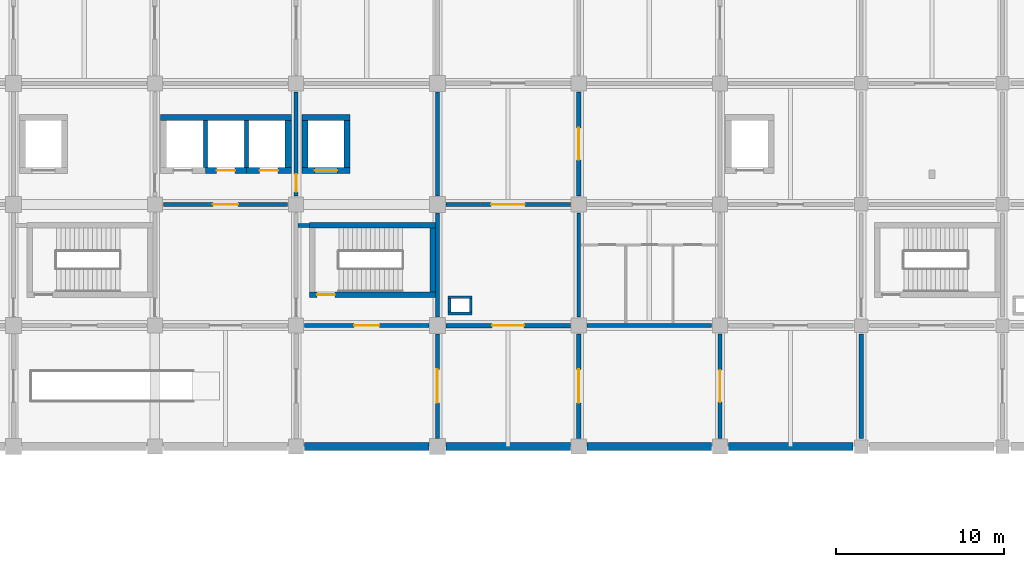
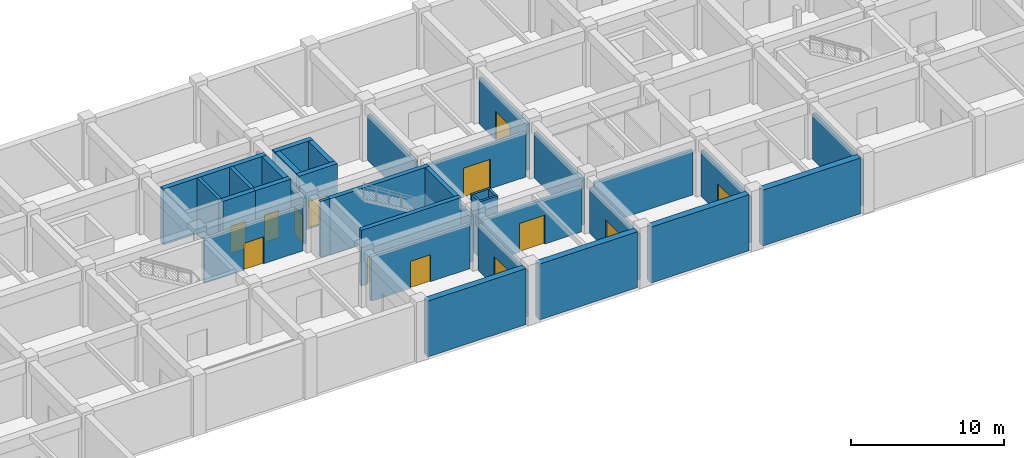
# One storey, part 22 of 32: 36 walls, 13 doors, 13 openings.
"""IFC4 building model written with IfcOpenShell, lengths in metres."""

from ifc_helpers import new_model, si_unit, derived_unit, direction, frame, frame_2d, origin, place, context, subcontext, project, spatial, rectangle, extrude, material, layer, layer_set, type_object, element, fill, save


model = new_model("IFC4")

# Units and contexts
model_context = context("Model", 3, precision=1e-05, world=origin(), true_north=direction((0.0, 1.0)))
body_context = subcontext(model_context, "Body", "Model", "MODEL_VIEW")
ifc_project = project(units=[si_unit("LENGTHUNIT", "METRE"), si_unit("AREAUNIT", "SQUARE_METRE"), si_unit("VOLUMEUNIT", "CUBIC_METRE"), si_unit("PLANEANGLEUNIT", "RADIAN"), si_unit("MASSUNIT", "GRAM", prefix="KILO"), derived_unit("THERMALTRANSMITTANCEUNIT", [(si_unit("MASSUNIT", "GRAM", prefix="KILO"), 1), (si_unit("TIMEUNIT", "SECOND"), -3), (si_unit("THERMODYNAMICTEMPERATUREUNIT", "KELVIN"), -1)])], contexts=[model_context])

# Site, building, storey
site_placement = place(None, origin())
site = spatial("IfcSite", under=ifc_project, at=site_placement, CompositionType="ELEMENT")
building_placement = place(site_placement, origin())
building = spatial("IfcBuilding", under=site, at=building_placement, Name="Veldstrom Oceanarium and Marine Research Institute", CompositionType="ELEMENT")
storey_placement = place(building_placement, frame((0.0, 0.0, -4.800048828125)))
storey = spatial("IfcBuildingStorey", under=building, at=storey_placement, Name="B01", CompositionType="ELEMENT", Elevation=-4.800048828125)

# Wall, opening, door
ifc_material_1 = material(Name="Masonry Fire Compartment Wall", Category="masonry")
ifc_layer_1 = layer(ifc_material_1, 0.22998046875)
ifc_layer_set_1 = layer_set([ifc_layer_1], Name="ARC-WAL-PT1")
wall_type_1 = type_object("IfcWallType", Name="ARC-WAL-PT1", PredefinedType="PARTITIONING", material=ifc_layer_set_1)
wall_1_placement = place(storey_placement, frame((84.5, 57.60009765625, 0.0), z_axis=(0.0, 0.0, 1.0), x_axis=(1.0, 0.0, 0.0)))
wall_1 = element("IfcWall", 1, at=wall_1_placement, inside=storey, type_object=wall_type_1, Name="Interior Partition PT1 B01-0440", PredefinedType="PARTITIONING", context=body_context, shape_type="SweptSolid", body=[
    extrude(rectangle(XDim=7.39990234375, YDim=0.22998046875, at=frame_2d((3.699951171875, 0.0))), origin(), (0.0, 0.0, 1.0), 3.545166015625),
])
opening_1_placement = place(wall_1_placement, frame((2.949951171875, 0.0, 0.0)))
opening_1 = element("IfcOpeningElement", 2, at=opening_1_placement, cuts=wall_1, Name="Opening D-B01-258", PredefinedType="OPENING", context=body_context, shape_type="SweptSolid", body=[
    extrude(rectangle(XDim=1.5, YDim=2.14990234375, at=frame_2d((0.75, 1.074951171875))), frame((0.0, 0.125, 0.0), z_axis=(0.0, -1.0, 0.0), x_axis=(1.0, 0.0, 0.0)), (0.0, 0.0, 1.0), 0.25),
])
ifc_material_2 = material(Name="Painted Steel Lobby Fire Door", Category="steel")
door_type_1 = type_object("IfcDoorType", Name="ARC-DOR-SD2", OperationType="DOUBLE_DOOR_SINGLE_SWING", PredefinedType="DOOR", material=ifc_material_2)
door_1_placement = place(opening_1_placement, origin())
door_1 = element("IfcDoor", 3, at=door_1_placement, inside=storey, type_object=door_type_1, Name="Interior Door D-B01-258", OperationType="DOUBLE_DOOR_SINGLE_SWING", OverallHeight=2.14990234375, OverallWidth=1.5, PredefinedType="DOOR", context=body_context, shape_type="SweptSolid", body=[
    extrude(rectangle(XDim=1.5, YDim=2.14990234375, at=frame_2d((0.75, 1.074951171875))), frame((0.0, 0.02490234375, 0.0), z_axis=(0.0, -1.0, 0.0), x_axis=(1.0, 0.0, 0.0)), (0.0, 0.0, 1.0), 0.050048828125),
])
fill(opening_1, door_1)

wall_2_placement = place(storey_placement, frame((92.39990234375, 58.10009765625, 0.0), z_axis=(0.0, 0.0, 1.0), x_axis=(0.0, 1.0, 0.0)))
wall_2 = element("IfcWall", 4, at=wall_2_placement, inside=storey, type_object=wall_type_1, Name="Interior Partition PT1 B01-0441", PredefinedType="PARTITIONING", context=body_context, shape_type="SweptSolid", body=[
    extrude(rectangle(XDim=6.199951171875, YDim=0.22998046875, at=frame_2d((3.10009765625, 0.0))), origin(), (0.0, 0.0, 1.0), 3.64501953125),
])
opening_2_placement = place(wall_2_placement, frame((0.25, 0.0, 0.0)))
opening_2 = element("IfcOpeningElement", 5, at=opening_2_placement, cuts=wall_2, Name="Opening D-B01-259", PredefinedType="OPENING", context=body_context, shape_type="SweptSolid", body=[
    extrude(rectangle(XDim=1.050048828125, YDim=2.14990234375, at=frame_2d((0.52490234375, 1.074951171875))), frame((0.0, 0.125, 0.0), z_axis=(0.0, -1.0, 0.0), x_axis=(1.0, 0.0, 0.0)), (0.0, 0.0, 1.0), 0.25),
])
ifc_material_3 = material(Name="Painted Steel Fire Door", Category="steel")
door_type_2 = type_object("IfcDoorType", Name="ARC-DOR-SD1", OperationType="SINGLE_SWING_LEFT", PredefinedType="DOOR", material=ifc_material_3)
door_2_placement = place(opening_2_placement, origin())
door_2 = element("IfcDoor", 6, at=door_2_placement, inside=storey, type_object=door_type_2, Name="Interior Door D-B01-259", OperationType="SINGLE_SWING_LEFT", OverallHeight=2.14990234375, OverallWidth=1.050048828125, PredefinedType="DOOR", context=body_context, shape_type="SweptSolid", body=[
    extrude(rectangle(XDim=1.050048828125, YDim=2.14990234375, at=frame_2d((0.52490234375, 1.074951171875))), frame((0.0, 0.02490234375, 0.0), z_axis=(0.0, -1.0, 0.0), x_axis=(1.0, 0.0, 0.0)), (0.0, 0.0, 1.0), 0.050048828125),
])
fill(opening_2, door_2)

wall_3_placement = place(storey_placement, frame((100.800048828125, 43.699951171875, 0.0), z_axis=(0.0, 0.0, 1.0), x_axis=(0.0, 1.0, 0.0)))
wall_3 = element("IfcWall", 7, at=wall_3_placement, inside=storey, type_object=wall_type_1, Name="Interior Partition PT1 B01-0444", PredefinedType="PARTITIONING", context=body_context, shape_type="SweptSolid", body=[
    extrude(rectangle(XDim=6.199951171875, YDim=0.22998046875, at=frame_2d((3.10009765625, 0.0))), origin(), (0.0, 0.0, 1.0), 3.64501953125),
])
opening_3_placement = place(wall_3_placement, frame((2.10009765625, 0.0, 0.0)))
opening_3 = element("IfcOpeningElement", 8, at=opening_3_placement, cuts=wall_3, Name="Opening D-B01-261", PredefinedType="OPENING", context=body_context, shape_type="SweptSolid", body=[
    extrude(rectangle(XDim=2.0, YDim=2.35009765625, at=frame_2d((1.0, 1.175048828125))), frame((0.0, 0.125, 0.0), z_axis=(0.0, -1.0, 0.0), x_axis=(1.0, 0.0, 0.0)), (0.0, 0.0, 1.0), 0.25),
])
ifc_material_4 = material(Name="Filtration Hall Double Door", Category="steel")
door_type_3 = type_object("IfcDoorType", Name="ARC-DOR-ID18", OperationType="DOUBLE_DOOR_SINGLE_SWING", PredefinedType="DOOR", material=ifc_material_4)
door_3_placement = place(opening_3_placement, frame((2.0, 0.0, 0.0), z_axis=(0.0, 0.0, 1.0), x_axis=(-1.0, 0.0, 0.0)))
door_3 = element("IfcDoor", 9, at=door_3_placement, inside=storey, type_object=door_type_3, Name="Interior Door D-B01-261", OperationType="DOUBLE_DOOR_SINGLE_SWING", OverallHeight=2.35009765625, OverallWidth=2.0, PredefinedType="DOOR", context=body_context, shape_type="SweptSolid", body=[
    extrude(rectangle(XDim=2.0, YDim=2.35009765625, at=frame_2d((1.0, 1.175048828125))), frame((0.0, 0.02490234375, 0.0), z_axis=(0.0, -1.0, 0.0), x_axis=(1.0, 0.0, 0.0)), (0.0, 0.0, 1.0), 0.050048828125),
])
fill(opening_3, door_3)

wall_4_placement = place(storey_placement, frame((92.89990234375, 50.39990234375, 0.0), z_axis=(0.0, 0.0, 1.0), x_axis=(1.0, 0.0, 0.0)))
wall_4 = element("IfcWall", 10, at=wall_4_placement, inside=storey, type_object=wall_type_1, Name="Interior Partition PT1 B01-0445", PredefinedType="PARTITIONING", context=body_context, shape_type="SweptSolid", body=[
    extrude(rectangle(XDim=7.400146484375, YDim=0.22998046875, at=frame_2d((3.7001953125, 0.0))), origin(), (0.0, 0.0, 1.0), 3.545166015625),
])
opening_4_placement = place(wall_4_placement, frame((2.949951171875, 0.0, 0.0)))
opening_4 = element("IfcOpeningElement", 11, at=opening_4_placement, cuts=wall_4, Name="Opening D-B01-262", PredefinedType="OPENING", context=body_context, shape_type="SweptSolid", body=[
    extrude(rectangle(XDim=1.5, YDim=2.14990234375, at=frame_2d((0.75, 1.074951171875))), frame((0.0, 0.125, 0.0), z_axis=(0.0, -1.0, 0.0), x_axis=(1.0, 0.0, 0.0)), (0.0, 0.0, 1.0), 0.25),
])
door_4_placement = place(opening_4_placement, frame((1.5, 0.0, 0.0), z_axis=(0.0, 0.0, 1.0), x_axis=(-1.0, 0.0, 0.0)))
door_4 = element("IfcDoor", 12, at=door_4_placement, inside=storey, type_object=door_type_1, Name="Interior Door D-B01-262", OperationType="DOUBLE_DOOR_SINGLE_SWING", OverallHeight=2.14990234375, OverallWidth=1.5, PredefinedType="DOOR", context=body_context, shape_type="SweptSolid", body=[
    extrude(rectangle(XDim=1.5, YDim=2.14990234375, at=frame_2d((0.75, 1.074951171875))), frame((0.0, 0.02490234375, 0.0), z_axis=(0.0, -1.0, 0.0), x_axis=(1.0, 0.0, 0.0)), (0.0, 0.0, 1.0), 0.050048828125),
])
fill(opening_4, door_4)

# Walls
wall_5_placement = place(storey_placement, frame((100.800048828125, 50.89990234375, 0.0), z_axis=(0.0, 0.0, 1.0), x_axis=(0.0, 1.0, 0.0)))
element("IfcWall", 13, at=wall_5_placement, inside=storey, type_object=wall_type_1, Name="Interior Partition PT1 B01-0446", PredefinedType="PARTITIONING", context=body_context, shape_type="SweptSolid", body=[
    extrude(rectangle(XDim=6.2001953125, YDim=0.22998046875, at=frame_2d((3.10009765625, 0.0))), origin(), (0.0, 0.0, 1.0), 3.64501953125),
])
wall_6_placement = place(storey_placement, frame((92.52001953125, 56.360107421875, 0.0), z_axis=(0.0, 0.0, 1.0), x_axis=(1.0, 0.0, 0.0)))
element("IfcWall", 14, at=wall_6_placement, inside=storey, type_object=wall_type_1, Name="Interior Partition PT1 B01-0447", PredefinedType="PARTITIONING", context=body_context, shape_type="SweptSolid", body=[
    extrude(rectangle(XDim=0.679931640625, YDim=0.22998046875, at=frame_2d((0.33984375, 0.0))), origin(), (0.0, 0.0, 1.0), 4.449951171875),
])
wall_7_placement = place(storey_placement, frame((100.800048828125, 58.10009765625, 0.0), z_axis=(0.0, 0.0, 1.0), x_axis=(0.0, 1.0, 0.0)))
element("IfcWall", 15, at=wall_7_placement, inside=storey, type_object=wall_type_1, Name="Interior Partition PT1 B01-0448", PredefinedType="PARTITIONING", context=body_context, shape_type="SweptSolid", body=[
    extrude(rectangle(XDim=6.199951171875, YDim=0.22998046875, at=frame_2d((3.10009765625, 0.0))), origin(), (0.0, 0.0, 1.0), 3.64501953125),
])
wall_8_placement = place(storey_placement, frame((109.199951171875, 50.89990234375, 0.0), z_axis=(0.0, 0.0, 1.0), x_axis=(0.0, 1.0, 0.0)))
element("IfcWall", 16, at=wall_8_placement, inside=storey, type_object=wall_type_1, Name="Interior Partition PT1 B01-0453", PredefinedType="PARTITIONING", context=body_context, shape_type="SweptSolid", body=[
    extrude(rectangle(XDim=6.2001953125, YDim=0.22998046875, at=frame_2d((3.10009765625, 0.0))), origin(), (0.0, 0.0, 1.0), 3.64501953125),
])

# Wall, opening, door
wall_9_placement = place(storey_placement, frame((101.300048828125, 57.60009765625, 0.0), z_axis=(0.0, 0.0, 1.0), x_axis=(1.0, 0.0, 0.0)))
wall_9 = element("IfcWall", 17, at=wall_9_placement, inside=storey, type_object=wall_type_1, Name="Interior Partition PT1 B01-0454", PredefinedType="PARTITIONING", context=body_context, shape_type="SweptSolid", body=[
    extrude(rectangle(XDim=7.39990234375, YDim=0.22998046875, at=frame_2d((3.699951171875, 0.0))), origin(), (0.0, 0.0, 1.0), 3.545166015625),
])
opening_5_placement = place(wall_9_placement, frame((2.699951171875, 0.0, 0.0)))
opening_5 = element("IfcOpeningElement", 18, at=opening_5_placement, cuts=wall_9, Name="Opening D-B01-265", PredefinedType="OPENING", context=body_context, shape_type="SweptSolid", body=[
    extrude(rectangle(XDim=2.0, YDim=2.35009765625, at=frame_2d((1.0, 1.175048828125))), frame((0.0, 0.125, 0.0), z_axis=(0.0, -1.0, 0.0), x_axis=(1.0, 0.0, 0.0)), (0.0, 0.0, 1.0), 0.25),
])
door_5_placement = place(opening_5_placement, origin())
door_5 = element("IfcDoor", 19, at=door_5_placement, inside=storey, type_object=door_type_3, Name="Interior Door D-B01-265", OperationType="DOUBLE_DOOR_SINGLE_SWING", OverallHeight=2.35009765625, OverallWidth=2.0, PredefinedType="DOOR", context=body_context, shape_type="SweptSolid", body=[
    extrude(rectangle(XDim=2.0, YDim=2.35009765625, at=frame_2d((1.0, 1.175048828125))), frame((0.0, 0.02490234375, 0.0), z_axis=(0.0, -1.0, 0.0), x_axis=(1.0, 0.0, 0.0)), (0.0, 0.0, 1.0), 0.050048828125),
])
fill(opening_5, door_5)

wall_10_placement = place(storey_placement, frame((117.60009765625, 43.699951171875, 0.0), z_axis=(0.0, 0.0, 1.0), x_axis=(0.0, 1.0, 0.0)))
wall_10 = element("IfcWall", 20, at=wall_10_placement, inside=storey, type_object=wall_type_1, Name="Interior Partition PT1 B01-0458", PredefinedType="PARTITIONING", context=body_context, shape_type="SweptSolid", body=[
    extrude(rectangle(XDim=6.199951171875, YDim=0.22998046875, at=frame_2d((3.10009765625, 0.0))), origin(), (0.0, 0.0, 1.0), 3.64501953125),
])
opening_6_placement = place(wall_10_placement, frame((2.14990234375, 0.0, 0.0)))
opening_6 = element("IfcOpeningElement", 21, at=opening_6_placement, cuts=wall_10, Name="Opening D-B01-268", PredefinedType="OPENING", context=body_context, shape_type="SweptSolid", body=[
    extrude(rectangle(XDim=1.89990234375, YDim=2.300048828125, at=frame_2d((0.949951171875, 1.14990234375))), frame((0.0, 0.125, 0.0), z_axis=(0.0, -1.0, 0.0), x_axis=(1.0, 0.0, 0.0)), (0.0, 0.0, 1.0), 0.25),
])
ifc_material_5 = material(Name="Plant Hall Equipment Door", Category="steel")
door_type_4 = type_object("IfcDoorType", Name="ARC-DOR-ID12", OperationType="DOUBLE_DOOR_SINGLE_SWING", PredefinedType="DOOR", material=ifc_material_5)
door_6_placement = place(opening_6_placement, frame((1.89990234375, 0.0, 0.0), z_axis=(0.0, 0.0, 1.0), x_axis=(-1.0, 0.0, 0.0)))
door_6 = element("IfcDoor", 22, at=door_6_placement, inside=storey, type_object=door_type_4, Name="Interior Door D-B01-268", OperationType="DOUBLE_DOOR_SINGLE_SWING", OverallHeight=2.300048828125, OverallWidth=1.89990234375, PredefinedType="DOOR", context=body_context, shape_type="SweptSolid", body=[
    extrude(rectangle(XDim=1.89990234375, YDim=2.300048828125, at=frame_2d((0.949951171875, 1.14990234375))), frame((0.0, 0.02490234375, 0.0), z_axis=(0.0, -1.0, 0.0), x_axis=(1.0, 0.0, 0.0)), (0.0, 0.0, 1.0), 0.050048828125),
])
fill(opening_6, door_6)

# Wall
wall_11_placement = place(storey_placement, frame((109.699951171875, 50.39990234375, 0.0), z_axis=(0.0, 0.0, 1.0), x_axis=(1.0, 0.0, 0.0)))
element("IfcWall", 23, at=wall_11_placement, inside=storey, type_object=wall_type_1, Name="Interior Partition PT1 B01-0459", PredefinedType="PARTITIONING", context=body_context, shape_type="SweptSolid", body=[
    extrude(rectangle(XDim=7.400146484375, YDim=0.22998046875, at=frame_2d((3.7001953125, 0.0))), origin(), (0.0, 0.0, 1.0), 3.545166015625),
])

# Wall, opening, door
ifc_material_6 = material(Name="Plant Acoustic Masonry Wall", Category="masonry")
ifc_layer_2 = layer(ifc_material_6, 0.260009765625)
ifc_layer_set_2 = layer_set([ifc_layer_2], Name="ARC-WAL-PT8")
wall_type_2 = type_object("IfcWallType", Name="ARC-WAL-PT8", PredefinedType="PARTITIONING", material=ifc_layer_set_2)
wall_12_placement = place(storey_placement, frame((109.199951171875, 43.699951171875, 0.0), z_axis=(0.0, 0.0, 1.0), x_axis=(0.0, 1.0, 0.0)))
wall_12 = element("IfcWall", 24, at=wall_12_placement, inside=storey, type_object=wall_type_2, Name="Interior Partition PT8 B01-0451", PredefinedType="PARTITIONING", context=body_context, shape_type="SweptSolid", body=[
    extrude(rectangle(XDim=6.199951171875, YDim=0.260009765625, at=frame_2d((3.10009765625, 0.0))), origin(), (0.0, 0.0, 1.0), 3.64501953125),
])
opening_7_placement = place(wall_12_placement, frame((2.10009765625, 0.0, 0.0)))
opening_7 = element("IfcOpeningElement", 25, at=opening_7_placement, cuts=wall_12, Name="Opening D-B01-263", PredefinedType="OPENING", context=body_context, shape_type="SweptSolid", body=[
    extrude(rectangle(XDim=2.0, YDim=2.35009765625, at=frame_2d((1.0, 1.175048828125))), frame((0.0, 0.139892578125, 0.0), z_axis=(0.0, -1.0, 0.0), x_axis=(1.0, 0.0, 0.0)), (0.0, 0.0, 1.0), 0.280029296875),
])
door_7_placement = place(opening_7_placement, origin())
door_7 = element("IfcDoor", 26, at=door_7_placement, inside=storey, type_object=door_type_3, Name="Interior Door D-B01-263", OperationType="DOUBLE_DOOR_SINGLE_SWING", OverallHeight=2.35009765625, OverallWidth=2.0, PredefinedType="DOOR", context=body_context, shape_type="SweptSolid", body=[
    extrude(rectangle(XDim=2.0, YDim=2.35009765625, at=frame_2d((1.0, 1.175048828125))), frame((0.0, 0.02490234375, 0.0), z_axis=(0.0, -1.0, 0.0), x_axis=(1.0, 0.0, 0.0)), (0.0, 0.0, 1.0), 0.050048828125),
])
fill(opening_7, door_7)

wall_13_placement = place(storey_placement, frame((101.300048828125, 50.39990234375, 0.0), z_axis=(0.0, 0.0, 1.0), x_axis=(1.0, 0.0, 0.0)))
wall_13 = element("IfcWall", 27, at=wall_13_placement, inside=storey, type_object=wall_type_2, Name="Interior Partition PT8 B01-0452", PredefinedType="PARTITIONING", context=body_context, shape_type="SweptSolid", body=[
    extrude(rectangle(XDim=7.39990234375, YDim=0.260009765625, at=frame_2d((3.699951171875, 0.0))), origin(), (0.0, 0.0, 1.0), 3.545166015625),
])
opening_8_placement = place(wall_13_placement, frame((2.75, 0.0, 0.0)))
opening_8 = element("IfcOpeningElement", 28, at=opening_8_placement, cuts=wall_13, Name="Opening D-B01-264", PredefinedType="OPENING", context=body_context, shape_type="SweptSolid", body=[
    extrude(rectangle(XDim=1.89990234375, YDim=2.300048828125, at=frame_2d((0.949951171875, 1.14990234375))), frame((0.0, 0.139892578125, 0.0), z_axis=(0.0, -1.0, 0.0), x_axis=(1.0, 0.0, 0.0)), (0.0, 0.0, 1.0), 0.280029296875),
])
door_8_placement = place(opening_8_placement, frame((1.89990234375, 0.0, 0.0), z_axis=(0.0, 0.0, 1.0), x_axis=(-1.0, 0.0, 0.0)))
door_8 = element("IfcDoor", 29, at=door_8_placement, inside=storey, type_object=door_type_4, Name="Interior Door D-B01-264", OperationType="DOUBLE_DOOR_SINGLE_SWING", OverallHeight=2.300048828125, OverallWidth=1.89990234375, PredefinedType="DOOR", context=body_context, shape_type="SweptSolid", body=[
    extrude(rectangle(XDim=1.89990234375, YDim=2.300048828125, at=frame_2d((0.949951171875, 1.14990234375))), frame((0.0, 0.02490234375, 0.0), z_axis=(0.0, -1.0, 0.0), x_axis=(1.0, 0.0, 0.0)), (0.0, 0.0, 1.0), 0.050048828125),
])
fill(opening_8, door_8)

wall_14_placement = place(storey_placement, frame((109.199951171875, 58.10009765625, 0.0), z_axis=(0.0, 0.0, 1.0), x_axis=(0.0, 1.0, 0.0)))
wall_14 = element("IfcWall", 30, at=wall_14_placement, inside=storey, type_object=wall_type_2, Name="Interior Partition PT8 B01-0455", PredefinedType="PARTITIONING", context=body_context, shape_type="SweptSolid", body=[
    extrude(rectangle(XDim=6.199951171875, YDim=0.260009765625, at=frame_2d((3.10009765625, 0.0))), origin(), (0.0, 0.0, 1.0), 3.64501953125),
])
opening_9_placement = place(wall_14_placement, frame((2.14990234375, 0.0, 0.0)))
opening_9 = element("IfcOpeningElement", 31, at=opening_9_placement, cuts=wall_14, Name="Opening D-B01-266", PredefinedType="OPENING", context=body_context, shape_type="SweptSolid", body=[
    extrude(rectangle(XDim=1.89990234375, YDim=2.300048828125, at=frame_2d((0.949951171875, 1.14990234375))), frame((0.0, 0.139892578125, 0.0), z_axis=(0.0, -1.0, 0.0), x_axis=(1.0, 0.0, 0.0)), (0.0, 0.0, 1.0), 0.280029296875),
])
door_9_placement = place(opening_9_placement, origin())
door_9 = element("IfcDoor", 32, at=door_9_placement, inside=storey, type_object=door_type_4, Name="Interior Door D-B01-266", OperationType="DOUBLE_DOOR_SINGLE_SWING", OverallHeight=2.300048828125, OverallWidth=1.89990234375, PredefinedType="DOOR", context=body_context, shape_type="SweptSolid", body=[
    extrude(rectangle(XDim=1.89990234375, YDim=2.300048828125, at=frame_2d((0.949951171875, 1.14990234375))), frame((0.0, 0.02490234375, 0.0), z_axis=(0.0, -1.0, 0.0), x_axis=(1.0, 0.0, 0.0)), (0.0, 0.0, 1.0), 0.050048828125),
])
fill(opening_9, door_9)

# Walls
wall_15_placement = place(storey_placement, frame((126.0, 43.699951171875, 0.0), z_axis=(0.0, 0.0, 1.0), x_axis=(0.0, 1.0, 0.0)))
element("IfcWall", 33, at=wall_15_placement, inside=storey, type_object=wall_type_2, Name="Interior Partition PT8 B01-0465", PredefinedType="PARTITIONING", context=body_context, shape_type="SweptSolid", body=[
    extrude(rectangle(XDim=6.199951171875, YDim=0.260009765625, at=frame_2d((3.10009765625, 0.0))), origin(), (0.0, 0.0, 1.0), 3.64501953125),
])
ifc_material_7 = material(Name="Service Riser Fire Shaft Wall", Category="masonry")
ifc_layer_3 = layer(ifc_material_7, 0.1650390625)
ifc_layer_set_3 = layer_set([ifc_layer_3], Name="ARC-WAL-PT9")
wall_type_3 = type_object("IfcWallType", Name="ARC-WAL-PT9", PredefinedType="PARTITIONING", material=ifc_layer_set_3)
for number, where, z_axis, x_axis, name in (
    (34, (101.43505859375, 51.117431640625, 0.0), (0.0, 0.0, 1.0), (1.0, 0.0, 0.0), "Service Riser Fire Shaft Wall B01-CE-S"),
    (35, (101.43505859375, 52.08251953125, 0.0), (0.0, 0.0, 1.0), (1.0, 0.0, 0.0), "Service Riser Fire Shaft Wall B01-CE-N"),
):
    element("IfcWall", number, at=place(storey_placement, frame(where, z_axis=z_axis, x_axis=x_axis)), inside=storey, type_object=wall_type_3, Name=name, PredefinedType="PARTITIONING", context=body_context, shape_type="SweptSolid", body=[
        extrude(rectangle(XDim=1.429931640625, YDim=0.1650390625, at=frame_2d((0.71484375, 0.0))), origin(), (0.0, 0.0, 1.0), 4.449951171875),
    ])
for number, where, z_axis, x_axis, name in (
    (36, (101.517578125, 51.199951171875, 0.0), (0.0, 0.0, 1.0), (0.0, 1.0, 0.0), "Service Riser Fire Shaft Wall B01-CE-W"),
    (37, (102.782470703125, 51.199951171875, 0.0), (0.0, 0.0, 1.0), (0.0, 1.0, 0.0), "Service Riser Fire Shaft Wall B01-CE-E"),
):
    element("IfcWall", number, at=place(storey_placement, frame(where, z_axis=z_axis, x_axis=x_axis)), inside=storey, type_object=wall_type_3, Name=name, PredefinedType="PARTITIONING", context=body_context, shape_type="SweptSolid", body=[
        extrude(rectangle(XDim=0.800048828125, YDim=0.1650390625, at=frame_2d((0.39990234375, 0.0))), origin(), (0.0, 0.0, 1.0), 4.449951171875),
    ])
ifc_material_8 = material(Name="Concrete C40/50", Category="concrete")
ifc_layer_4 = layer(ifc_material_8, 0.360107421875)
ifc_layer_set_4 = layer_set([ifc_layer_4], Name="STR-WAL-WC2")
wall_type_4 = type_object("IfcWallType", Name="STR-WAL-WC2", PredefinedType="SHEAR", material=ifc_layer_set_4)
wall_16_placement = place(storey_placement, frame((84.340087890625, 62.780029296875, 0.0), z_axis=(0.0, 0.0, 1.0), x_axis=(1.0, 0.0, 0.0)))
element("IfcWall", 38, at=wall_16_placement, inside=storey, type_object=wall_type_4, Name="Lift Shaft Shear Wall N B01 10/8", PredefinedType="SHEAR", context=body_context, shape_type="SweptSolid", body=[
    extrude(rectangle(XDim=7.77001953125, YDim=0.360107421875, at=frame_2d((3.885009765625, 0.0))), origin(), (0.0, 0.0, 1.0), 4.449951171875),
])

# Wall, opening, door
wall_17_placement = place(storey_placement, frame((87.0, 59.6201171875, 0.0), z_axis=(0.0, 0.0, 1.0), x_axis=(1.0, 0.0, 0.0)))
wall_17 = element("IfcWall", 39, at=wall_17_placement, inside=storey, type_object=wall_type_4, Name="Lift Shaft Front Shear Wall LP2 B01", PredefinedType="SHEAR", context=body_context, shape_type="SweptSolid", body=[
    extrude(rectangle(XDim=2.449951171875, YDim=0.360107421875, at=frame_2d((1.22509765625, 0.0))), origin(), (0.0, 0.0, 1.0), 4.449951171875),
])
opening_10_placement = place(wall_17_placement, frame((0.675048828125, 0.0, 0.0)))
opening_10 = element("IfcOpeningElement", 40, at=opening_10_placement, cuts=wall_17, Name="Opening LD-LP2-B01", PredefinedType="OPENING", context=body_context, shape_type="SweptSolid", body=[
    extrude(rectangle(XDim=1.10009765625, YDim=2.14990234375, at=frame_2d((0.550048828125, 1.074951171875))), frame((0.0, 0.18994140625, 0.0), z_axis=(0.0, -1.0, 0.0), x_axis=(1.0, 0.0, 0.0)), (0.0, 0.0, 1.0), 0.380126953125),
])
ifc_material_9 = material(Name="Stainless Steel Lift Landing Door", Category="steel")
door_type_5 = type_object("IfcDoorType", Name="ARC-DOR-LD1", OperationType="DOUBLE_DOOR_SLIDING", PredefinedType="DOOR", material=ifc_material_9)
door_10_placement = place(opening_10_placement, origin())
door_10 = element("IfcDoor", 41, at=door_10_placement, inside=storey, type_object=door_type_5, Name="Lift Landing Door LD-LP2-B01", OperationType="DOUBLE_DOOR_SLIDING", OverallHeight=2.14990234375, OverallWidth=1.10009765625, PredefinedType="DOOR", context=body_context, shape_type="SweptSolid", body=[
    extrude(rectangle(XDim=1.10009765625, YDim=2.14990234375, at=frame_2d((0.550048828125, 1.074951171875))), frame((0.0, 0.02490234375, 0.0), z_axis=(0.0, -1.0, 0.0), x_axis=(1.0, 0.0, 0.0)), (0.0, 0.0, 1.0), 0.050048828125),
])
fill(opening_10, door_10)

wall_18_placement = place(storey_placement, frame((89.449951171875, 59.6201171875, 0.0), z_axis=(0.0, 0.0, 1.0), x_axis=(1.0, 0.0, 0.0)))
wall_18 = element("IfcWall", 42, at=wall_18_placement, inside=storey, type_object=wall_type_4, Name="Lift Shaft Front Shear Wall LP3 B01", PredefinedType="SHEAR", context=body_context, shape_type="SweptSolid", body=[
    extrude(rectangle(XDim=2.66015625, YDim=0.360107421875, at=frame_2d((1.330078125, 0.0))), origin(), (0.0, 0.0, 1.0), 4.449951171875),
])
opening_11_placement = place(wall_18_placement, frame((0.780029296875, 0.0, 0.0)))
opening_11 = element("IfcOpeningElement", 43, at=opening_11_placement, cuts=wall_18, Name="Opening LD-LP3-B01", PredefinedType="OPENING", context=body_context, shape_type="SweptSolid", body=[
    extrude(rectangle(XDim=1.10009765625, YDim=2.14990234375, at=frame_2d((0.550048828125, 1.074951171875))), frame((0.0, 0.18994140625, 0.0), z_axis=(0.0, -1.0, 0.0), x_axis=(1.0, 0.0, 0.0)), (0.0, 0.0, 1.0), 0.380126953125),
])
door_11_placement = place(opening_11_placement, origin())
door_11 = element("IfcDoor", 44, at=door_11_placement, inside=storey, type_object=door_type_5, Name="Lift Landing Door LD-LP3-B01", OperationType="DOUBLE_DOOR_SLIDING", OverallHeight=2.14990234375, OverallWidth=1.10009765625, PredefinedType="DOOR", context=body_context, shape_type="SweptSolid", body=[
    extrude(rectangle(XDim=1.10009765625, YDim=2.14990234375, at=frame_2d((0.550048828125, 1.074951171875))), frame((0.0, 0.02490234375, 0.0), z_axis=(0.0, -1.0, 0.0), x_axis=(1.0, 0.0, 0.0)), (0.0, 0.0, 1.0), 0.050048828125),
])
fill(opening_11, door_11)

# Walls
wall_19_placement = place(storey_placement, frame((91.929931640625, 59.800048828125, 0.0), z_axis=(0.0, 0.0, 1.0), x_axis=(0.0, 1.0, 0.0)))
element("IfcWall", 45, at=wall_19_placement, inside=storey, type_object=wall_type_4, Name="Lift Shaft Shear Wall E B01 10/8", PredefinedType="SHEAR", context=body_context, shape_type="SweptSolid", body=[
    extrude(rectangle(XDim=2.800048828125, YDim=0.360107421875, at=frame_2d((1.39990234375, 0.0))), origin(), (0.0, 0.0, 1.0), 4.449951171875),
])
wall_20_placement = place(storey_placement, frame((92.739990234375, 62.780029296875, 0.0), z_axis=(0.0, 0.0, 1.0), x_axis=(1.0, 0.0, 0.0)))
element("IfcWall", 46, at=wall_20_placement, inside=storey, type_object=wall_type_4, Name="Lift Shaft Shear Wall N B01 11/8", PredefinedType="SHEAR", context=body_context, shape_type="SweptSolid", body=[
    extrude(rectangle(XDim=2.8701171875, YDim=0.360107421875, at=frame_2d((1.43505859375, 0.0))), origin(), (0.0, 0.0, 1.0), 4.449951171875),
])

# Wall, opening, door
wall_21_placement = place(storey_placement, frame((92.739990234375, 59.6201171875, 0.0), z_axis=(0.0, 0.0, 1.0), x_axis=(1.0, 0.0, 0.0)))
wall_21 = element("IfcWall", 47, at=wall_21_placement, inside=storey, type_object=wall_type_4, Name="Lift Shaft Front Shear Wall LF2 B01", PredefinedType="SHEAR", context=body_context, shape_type="SweptSolid", body=[
    extrude(rectangle(XDim=2.8701171875, YDim=0.360107421875, at=frame_2d((1.43505859375, 0.0))), origin(), (0.0, 0.0, 1.0), 4.449951171875),
])
opening_12_placement = place(wall_21_placement, frame((0.760009765625, 0.0, 0.0)))
opening_12 = element("IfcOpeningElement", 48, at=opening_12_placement, cuts=wall_21, Name="Opening LD-LF2-B01", PredefinedType="OPENING", context=body_context, shape_type="SweptSolid", body=[
    extrude(rectangle(XDim=1.35009765625, YDim=2.199951171875, at=frame_2d((0.675048828125, 1.10009765625))), frame((0.0, 0.18994140625, 0.0), z_axis=(0.0, -1.0, 0.0), x_axis=(1.0, 0.0, 0.0)), (0.0, 0.0, 1.0), 0.380126953125),
])
ifc_material_10 = material(Name="Stainless Steel Lift Landing Door", Category="steel")
door_type_6 = type_object("IfcDoorType", Name="ARC-DOR-LD3", OperationType="DOUBLE_DOOR_SLIDING", PredefinedType="DOOR", material=ifc_material_10)
door_12_placement = place(opening_12_placement, origin())
door_12 = element("IfcDoor", 49, at=door_12_placement, inside=storey, type_object=door_type_6, Name="Lift Landing Door LD-LF2-B01", OperationType="DOUBLE_DOOR_SLIDING", OverallHeight=2.199951171875, OverallWidth=1.35009765625, PredefinedType="DOOR", context=body_context, shape_type="SweptSolid", body=[
    extrude(rectangle(XDim=1.35009765625, YDim=2.199951171875, at=frame_2d((0.675048828125, 1.10009765625))), frame((0.0, 0.02490234375, 0.0), z_axis=(0.0, -1.0, 0.0), x_axis=(1.0, 0.0, 0.0)), (0.0, 0.0, 1.0), 0.050048828125),
])
fill(opening_12, door_12)

# Walls
for number, where, z_axis, x_axis, name in (
    (50, (92.919921875, 59.800048828125, 0.0), (0.0, 0.0, 1.0), (0.0, 1.0, 0.0), "Lift Shaft Shear Wall W B01 11/8"),
    (51, (95.429931640625, 59.800048828125, 0.0), (0.0, 0.0, 1.0), (0.0, 1.0, 0.0), "Lift Shaft Shear Wall E B01 11/8"),
):
    element("IfcWall", number, at=place(storey_placement, frame(where, z_axis=z_axis, x_axis=x_axis)), inside=storey, type_object=wall_type_4, Name=name, PredefinedType="SHEAR", context=body_context, shape_type="SweptSolid", body=[
        extrude(rectangle(XDim=2.800048828125, YDim=0.360107421875, at=frame_2d((1.39990234375, 0.0))), origin(), (0.0, 0.0, 1.0), 4.449951171875),
    ])

# Wall, opening, door
ifc_material_11 = material(Name="Concrete C40/50", Category="concrete")
ifc_layer_5 = layer(ifc_material_11, 0.320068359375)
ifc_layer_set_5 = layer_set([ifc_layer_5], Name="STR-WAL-WC3")
wall_type_5 = type_object("IfcWallType", Name="STR-WAL-WC3", PredefinedType="SHEAR", material=ifc_layer_set_5)
wall_22_placement = place(storey_placement, frame((93.199951171875, 52.239990234375, 0.0), z_axis=(0.0, 0.0, 1.0), x_axis=(1.0, 0.0, 0.0)))
wall_22 = element("IfcWall", 52, at=wall_22_placement, inside=storey, type_object=wall_type_5, Name="Stair Core Shear Wall SC2-B01-S", PredefinedType="SHEAR", context=body_context, shape_type="SweptSolid", body=[
    extrude(rectangle(XDim=7.47998046875, YDim=0.320068359375, at=frame_2d((3.739990234375, 0.0))), origin(), (0.0, 0.0, 1.0), 4.449951171875),
])
opening_13_placement = place(wall_22_placement, frame((0.449951171875, 0.0, 0.0)))
opening_13 = element("IfcOpeningElement", 53, at=opening_13_placement, cuts=wall_22, Name="Opening D-ST2-B01", PredefinedType="OPENING", context=body_context, shape_type="SweptSolid", body=[
    extrude(rectangle(XDim=1.050048828125, YDim=2.14990234375, at=frame_2d((0.52490234375, 1.074951171875))), frame((0.0, 0.169921875, 0.0), z_axis=(0.0, -1.0, 0.0), x_axis=(1.0, 0.0, 0.0)), (0.0, 0.0, 1.0), 0.340087890625),
])
door_13_placement = place(opening_13_placement, origin())
door_13 = element("IfcDoor", 54, at=door_13_placement, inside=storey, type_object=door_type_2, Name="Escape Stair Fire Door D-ST2-B01", OperationType="SINGLE_SWING_LEFT", OverallHeight=2.14990234375, OverallWidth=1.050048828125, PredefinedType="DOOR", context=body_context, shape_type="SweptSolid", body=[
    extrude(rectangle(XDim=1.050048828125, YDim=2.14990234375, at=frame_2d((0.52490234375, 1.074951171875))), frame((0.0, 0.02490234375, 0.0), z_axis=(0.0, -1.0, 0.0), x_axis=(1.0, 0.0, 0.0)), (0.0, 0.0, 1.0), 0.050048828125),
])
fill(opening_13, door_13)

# Walls
wall_23_placement = place(storey_placement, frame((93.199951171875, 56.360107421875, 0.0), z_axis=(0.0, 0.0, 1.0), x_axis=(1.0, 0.0, 0.0)))
element("IfcWall", 55, at=wall_23_placement, inside=storey, type_object=wall_type_5, Name="Stair Core Shear Wall SC2-B01-N", PredefinedType="SHEAR", context=body_context, shape_type="SweptSolid", body=[
    extrude(rectangle(XDim=7.47998046875, YDim=0.320068359375, at=frame_2d((3.739990234375, 0.0))), origin(), (0.0, 0.0, 1.0), 4.449951171875),
])
wall_24_placement = place(storey_placement, frame((100.52001953125, 52.39990234375, 0.0), z_axis=(0.0, 0.0, 1.0), x_axis=(0.0, 1.0, 0.0)))
element("IfcWall", 56, at=wall_24_placement, inside=storey, type_object=wall_type_5, Name="Stair Core Shear Wall SC2-B01-E", PredefinedType="SHEAR", context=body_context, shape_type="SweptSolid", body=[
    extrude(rectangle(XDim=3.800048828125, YDim=0.320068359375, at=frame_2d((1.89990234375, 0.0))), origin(), (0.0, 0.0, 1.0), 4.449951171875),
])
ifc_material_12 = material(Name="Concrete C40/50", Category="concrete")
ifc_layer_6 = layer(ifc_material_12, 0.239990234375)
ifc_layer_set_6 = layer_set([ifc_layer_6], Name="STR-WAL-WC4")
wall_type_6 = type_object("IfcWallType", Name="STR-WAL-WC4", PredefinedType="SHEAR", material=ifc_layer_set_6)
for number, where, z_axis, x_axis, name in (
    (57, (87.0, 59.800048828125, 0.0), (0.0, 0.0, 1.0), (0.0, 1.0, 0.0), "Lift Shaft Divider Wall B01 10/8-1"),
    (58, (89.449951171875, 59.800048828125, 0.0), (0.0, 0.0, 1.0), (0.0, 1.0, 0.0), "Lift Shaft Divider Wall B01 10/8-2"),
):
    element("IfcWall", number, at=place(storey_placement, frame(where, z_axis=z_axis, x_axis=x_axis)), inside=storey, type_object=wall_type_6, Name=name, PredefinedType="SHEAR", context=body_context, shape_type="SweptSolid", body=[
        extrude(rectangle(XDim=2.800048828125, YDim=0.239990234375, at=frame_2d((1.39990234375, 0.0))), origin(), (0.0, 0.0, 1.0), 4.449951171875),
    ])
ifc_material_13 = material(Name="Concrete C40/50", Category="concrete")
ifc_layer_7 = layer(ifc_material_13, 0.47998046875)
ifc_layer_set_7 = layer_set([ifc_layer_7], Name="STR-WAL-WR2")
wall_type_7 = type_object("IfcWallType", Name="STR-WAL-WR2", PredefinedType="USERDEFINED", material=ifc_layer_set_7)
wall_25_placement = place(storey_placement, frame((92.89990234375, 43.199951171875, 0.0), z_axis=(0.0, 0.0, 1.0), x_axis=(1.0, 0.0, 0.0)))
element("IfcWall", 59, at=wall_25_placement, inside=storey, type_object=wall_type_7, Name="Basement Retaining Wall WR2-B01-039", ObjectType="Retaining wall", PredefinedType="USERDEFINED", context=body_context, shape_type="SweptSolid", body=[
    extrude(rectangle(XDim=7.400146484375, YDim=0.47998046875, at=frame_2d((3.7001953125, 0.0))), origin(), (0.0, 0.0, 1.0), 4.449951171875),
])
wall_26_placement = place(storey_placement, frame((101.300048828125, 43.199951171875, 0.0), z_axis=(0.0, 0.0, 1.0), x_axis=(1.0, 0.0, 0.0)))
element("IfcWall", 60, at=wall_26_placement, inside=storey, type_object=wall_type_7, Name="Basement Retaining Wall WR2-B01-041", ObjectType="Retaining wall", PredefinedType="USERDEFINED", context=body_context, shape_type="SweptSolid", body=[
    extrude(rectangle(XDim=7.39990234375, YDim=0.47998046875, at=frame_2d((3.699951171875, 0.0))), origin(), (0.0, 0.0, 1.0), 4.449951171875),
])
wall_27_placement = place(storey_placement, frame((109.699951171875, 43.199951171875, 0.0), z_axis=(0.0, 0.0, 1.0), x_axis=(1.0, 0.0, 0.0)))
element("IfcWall", 61, at=wall_27_placement, inside=storey, type_object=wall_type_7, Name="Basement Retaining Wall WR2-B01-043", ObjectType="Retaining wall", PredefinedType="USERDEFINED", context=body_context, shape_type="SweptSolid", body=[
    extrude(rectangle(XDim=7.400146484375, YDim=0.47998046875, at=frame_2d((3.7001953125, 0.0))), origin(), (0.0, 0.0, 1.0), 4.449951171875),
])
wall_28_placement = place(storey_placement, frame((118.10009765625, 43.199951171875, 0.0), z_axis=(0.0, 0.0, 1.0), x_axis=(1.0, 0.0, 0.0)))
element("IfcWall", 62, at=wall_28_placement, inside=storey, type_object=wall_type_7, Name="Basement Retaining Wall WR2-B01-045", ObjectType="Retaining wall", PredefinedType="USERDEFINED", context=body_context, shape_type="SweptSolid", body=[
    extrude(rectangle(XDim=7.39990234375, YDim=0.47998046875, at=frame_2d((3.699951171875, 0.0))), origin(), (0.0, 0.0, 1.0), 4.449951171875),
])

save(model, "model.ifc")
